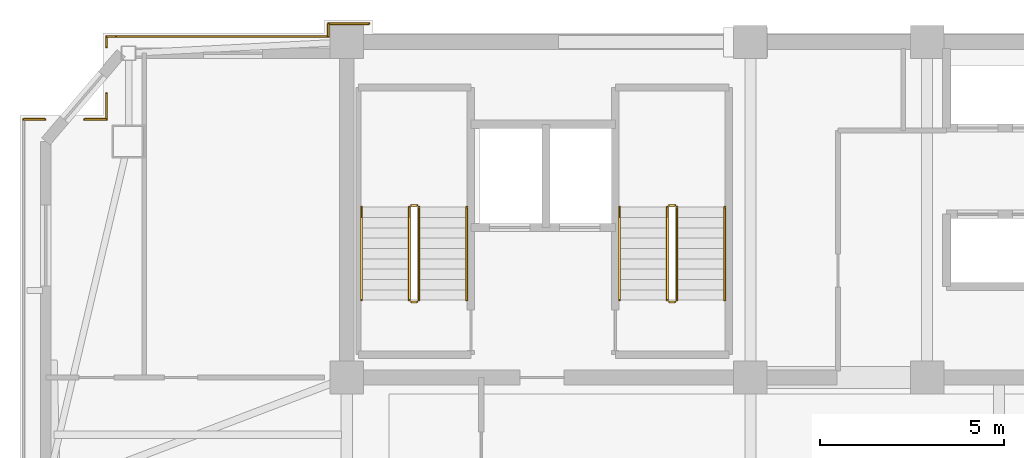
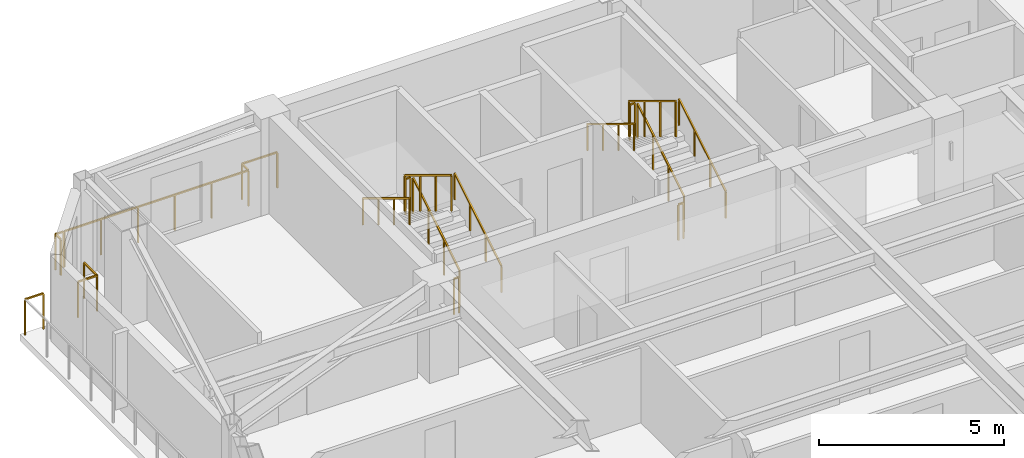
# One storey, part 11 of 12: 20 railings.
"""IFC4 building model written with IfcOpenShell, lengths in metres."""

from ifc_helpers import new_model, si_unit, direction, frame, origin, origin_2d, place, context, subcontext, project, spatial, rectangle, extrude, material, type_object, element, save


model = new_model("IFC4")

# Units and contexts
model_context = context("Model", 3, precision=1e-05, world=origin(), true_north=direction((0.0, 1.0)))
body_context = subcontext(model_context, "Body", "Model", "MODEL_VIEW")
ifc_project = project(units=[si_unit("LENGTHUNIT", "METRE"), si_unit("AREAUNIT", "SQUARE_METRE"), si_unit("VOLUMEUNIT", "CUBIC_METRE"), si_unit("PLANEANGLEUNIT", "RADIAN"), si_unit("MASSUNIT", "GRAM", prefix="KILO")], contexts=[model_context])

# Site, building, storey
site_placement = place(None, origin())
site = spatial("IfcSite", under=ifc_project, at=site_placement, CompositionType="ELEMENT")
building_placement = place(site_placement, origin())
building = spatial("IfcBuilding", under=site, at=building_placement, Name="Giltprow Tower", CompositionType="ELEMENT")
storey_placement = place(building_placement, frame((0.0, 0.0, 339.10009765625)))
storey = spatial("IfcBuildingStorey", under=building, at=storey_placement, Name="L88", CompositionType="ELEMENT", Elevation=339.10009765625)

# Railings
ifc_material = material(Name="Anodized bronze", Category="metal")
railing_type_1 = type_object("IfcRailingType", Name="RAIL-BALC-GUARD-1200", PredefinedType="BALUSTRADE", material=ifc_material)
railing_1_placement = place(storey_placement, frame((11.0849609375, 44.4541015625, 0.0)))
element("IfcRailing", 1, at=railing_1_placement, inside=storey, type_object=railing_type_1, Name="L88 Corner Apron Edge Balustrade 14", PredefinedType="BALUSTRADE", context=body_context, shape_type="SweptSolid", body=[
    extrude(rectangle(XDim=0.048095703125, YDim=0.048095703125, at=origin_2d()), frame((0.0, 0.0, 1.17578125), z_axis=(1.0, 0.0, 0.0), x_axis=(0.0, 1.0, 0.0)), (0.0, 0.0, 1.0), 0.572998046875),
    extrude(rectangle(XDim=0.0419921875, YDim=0.0419921875, at=origin_2d()), origin(), (0.0, 0.0, 1.0), 1.15185546875),
    extrude(rectangle(XDim=0.0419921875, YDim=0.0419921875, at=origin_2d()), frame((0.572998046875, 0.0, 0.0)), (0.0, 0.0, 1.0), 1.15185546875),
])
railing_2_placement = place(storey_placement, frame((12.736083984375, 44.4541015625, 0.0)))
element("IfcRailing", 2, at=railing_2_placement, inside=storey, type_object=railing_type_1, Name="L88 Corner Apron Edge Balustrade 15", PredefinedType="BALUSTRADE", context=body_context, shape_type="SweptSolid", body=[
    extrude(rectangle(XDim=0.048095703125, YDim=0.048095703125, at=origin_2d()), frame((0.0, 0.0, 1.17578125), z_axis=(1.0, 0.0, 0.0), x_axis=(0.0, 1.0, 0.0)), (0.0, 0.0, 1.0), 0.594970703125),
    extrude(rectangle(XDim=0.0419921875, YDim=0.0419921875, at=origin_2d()), origin(), (0.0, 0.0, 1.0), 1.15185546875),
    extrude(rectangle(XDim=0.0419921875, YDim=0.0419921875, at=origin_2d()), frame((0.594970703125, 0.0, 0.0)), (0.0, 0.0, 1.0), 1.15185546875),
])
railing_3_placement = place(storey_placement, frame((13.3310546875, 44.4541015625, 0.0)))
element("IfcRailing", 3, at=railing_3_placement, inside=storey, type_object=railing_type_1, Name="L88 Corner Apron Edge Balustrade 16", PredefinedType="BALUSTRADE", context=body_context, shape_type="SweptSolid", body=[
    extrude(rectangle(XDim=0.048095703125, YDim=0.048095703125, at=origin_2d()), frame((0.0, 0.0, 1.17578125), z_axis=(0.0, 1.0, 0.0), x_axis=(-1.0, 0.0, 0.0)), (0.0, 0.0, 1.0), 0.69580078125),
    extrude(rectangle(XDim=0.0419921875, YDim=0.0419921875, at=origin_2d()), origin(), (0.0, 0.0, 1.0), 1.15185546875),
    extrude(rectangle(XDim=0.0419921875, YDim=0.0419921875, at=origin_2d()), frame((0.0, 0.69580078125, 0.0)), (0.0, 0.0, 1.0), 1.15185546875),
])
railing_4_placement = place(storey_placement, frame((13.3310546875, 46.4130859375, 0.0)))
element("IfcRailing", 4, at=railing_4_placement, inside=storey, type_object=railing_type_1, Name="L88 Corner Apron Edge Balustrade 17", PredefinedType="BALUSTRADE", context=body_context, shape_type="SweptSolid", body=[
    extrude(rectangle(XDim=0.048095703125, YDim=0.048095703125, at=origin_2d()), frame((0.0, 0.0, 1.17578125), z_axis=(0.0, 1.0, 0.0), x_axis=(-1.0, 0.0, 0.0)), (0.0, 0.0, 1.0), 0.286865234375),
    extrude(rectangle(XDim=0.0419921875, YDim=0.0419921875, at=origin_2d()), origin(), (0.0, 0.0, 1.0), 1.15185546875),
    extrude(rectangle(XDim=0.0419921875, YDim=0.0419921875, at=origin_2d()), frame((0.0, 0.286865234375, 0.0)), (0.0, 0.0, 1.0), 1.15185546875),
])
railing_5_placement = place(storey_placement, frame((13.3310546875, 46.699951171875, 0.0)))
element("IfcRailing", 5, at=railing_5_placement, inside=storey, type_object=railing_type_1, Name="L88 Corner Apron Edge Balustrade 18", PredefinedType="BALUSTRADE", context=body_context, shape_type="SweptSolid", body=[
    extrude(rectangle(XDim=0.048095703125, YDim=0.048095703125, at=origin_2d()), frame((0.0, 0.0, 1.17578125), z_axis=(1.0, 0.0, 0.0), x_axis=(0.0, 1.0, 0.0)), (0.0, 0.0, 1.0), 0.244873046875),
    extrude(rectangle(XDim=0.0419921875, YDim=0.0419921875, at=origin_2d()), origin(), (0.0, 0.0, 1.0), 1.15185546875),
    extrude(rectangle(XDim=0.0419921875, YDim=0.0419921875, at=origin_2d()), frame((0.244873046875, 0.0, 0.0)), (0.0, 0.0, 1.0), 1.15185546875),
])
railing_6_placement = place(storey_placement, frame((13.60400390625, 46.699951171875, 0.0)))
element("IfcRailing", 6, at=railing_6_placement, inside=storey, type_object=railing_type_1, Name="L88 Corner Apron Edge Balustrade 19", PredefinedType="BALUSTRADE", context=body_context, shape_type="SweptSolid", body=[
    extrude(rectangle(XDim=0.048095703125, YDim=0.048095703125, at=origin_2d()), frame((0.0, 0.0, 1.17578125), z_axis=(1.0, 0.0, 0.0), x_axis=(0.0, 1.0, 0.0)), (0.0, 0.0, 1.0), 5.74609375),
    extrude(rectangle(XDim=0.0419921875, YDim=0.0419921875, at=origin_2d()), origin(), (0.0, 0.0, 1.0), 1.15185546875),
    extrude(rectangle(XDim=0.0419921875, YDim=0.0419921875, at=origin_2d()), frame((1.149169921875, 0.0, 0.0)), (0.0, 0.0, 1.0), 1.15185546875),
    extrude(rectangle(XDim=0.0419921875, YDim=0.0419921875, at=origin_2d()), frame((2.29833984375, 0.0, 0.0)), (0.0, 0.0, 1.0), 1.15185546875),
    extrude(rectangle(XDim=0.0419921875, YDim=0.0419921875, at=origin_2d()), frame((3.44775390625, 0.0, 0.0)), (0.0, 0.0, 1.0), 1.15185546875),
    extrude(rectangle(XDim=0.0419921875, YDim=0.0419921875, at=origin_2d()), frame((4.596923828125, 0.0, 0.0)), (0.0, 0.0, 1.0), 1.15185546875),
    extrude(rectangle(XDim=0.0419921875, YDim=0.0419921875, at=origin_2d()), frame((5.74609375, 0.0, 0.0)), (0.0, 0.0, 1.0), 1.15185546875),
])
railing_7_placement = place(storey_placement, frame((19.35009765625, 46.699951171875, 0.0)))
element("IfcRailing", 7, at=railing_7_placement, inside=storey, type_object=railing_type_1, Name="L88 Corner Apron Edge Balustrade 20", PredefinedType="BALUSTRADE", context=body_context, shape_type="SweptSolid", body=[
    extrude(rectangle(XDim=0.048095703125, YDim=0.048095703125, at=origin_2d()), frame((0.0, 0.0, 1.17578125), z_axis=(0.0, 1.0, 0.0), x_axis=(-1.0, 0.0, 0.0)), (0.0, 0.0, 1.0), 0.35009765625),
    extrude(rectangle(XDim=0.0419921875, YDim=0.0419921875, at=origin_2d()), origin(), (0.0, 0.0, 1.0), 1.15185546875),
    extrude(rectangle(XDim=0.0419921875, YDim=0.0419921875, at=origin_2d()), frame((0.0, 0.35009765625, 0.0)), (0.0, 0.0, 1.0), 1.15185546875),
])
railing_8_placement = place(storey_placement, frame((19.35009765625, 47.050048828125, 0.0)))
element("IfcRailing", 8, at=railing_8_placement, inside=storey, type_object=railing_type_1, Name="L88 Corner Apron Edge Balustrade 21", PredefinedType="BALUSTRADE", context=body_context, shape_type="SweptSolid", body=[
    extrude(rectangle(XDim=0.048095703125, YDim=0.048095703125, at=origin_2d()), frame((0.0, 0.0, 1.17578125), z_axis=(1.0, 0.0, 0.0), x_axis=(0.0, 1.0, 0.0)), (0.0, 0.0, 1.0), 1.099853515625),
    extrude(rectangle(XDim=0.0419921875, YDim=0.0419921875, at=origin_2d()), origin(), (0.0, 0.0, 1.0), 1.15185546875),
    extrude(rectangle(XDim=0.0419921875, YDim=0.0419921875, at=origin_2d()), frame((1.099853515625, 0.0, 0.0)), (0.0, 0.0, 1.0), 1.15185546875),
])
railing_type_2 = type_object("IfcRailingType", Name="RAIL-STAIR-GUARD-1200", PredefinedType="GUARDRAIL", material=ifc_material)
railing_9_placement = place(storey_placement, frame((21.81005859375, 39.550048828125, 0.169921875)))
element("IfcRailing", 9, at=railing_9_placement, inside=storey, type_object=railing_type_2, Name="L88 ST-1 stair guard 1", PredefinedType="GUARDRAIL", context=body_context, shape_type="SweptSolid", body=[
    extrude(rectangle(XDim=0.048095703125, YDim=0.048095703125, at=origin_2d()), frame((0.0, 0.0, 1.17578125), z_axis=(0.0, 0.85478489116, 0.518982456201), x_axis=(-1.0, 0.0, 0.0)), (0.0, 0.0, 1.0), 2.9482421875),
    extrude(rectangle(XDim=0.0419921875, YDim=0.0419921875, at=origin_2d()), origin(), (0.0, 0.0, 1.0), 1.15185546875),
    extrude(rectangle(XDim=0.0419921875, YDim=0.0419921875, at=origin_2d()), frame((0.0, 0.840087890625, 0.510009765625)), (0.0, 0.0, 1.0), 1.15185546875),
    extrude(rectangle(XDim=0.0419921875, YDim=0.0419921875, at=origin_2d()), frame((0.0, 1.679931640625, 1.02001953125)), (0.0, 0.0, 1.0), 1.15185546875),
    extrude(rectangle(XDim=0.0419921875, YDim=0.0419921875, at=origin_2d()), frame((0.0, 2.52001953125, 1.530029296875)), (0.0, 0.0, 1.0), 1.15185546875),
])
railing_10_placement = place(storey_placement, frame((21.760009765625, 42.1201171875, 1.699951171875)))
element("IfcRailing", 10, at=railing_10_placement, inside=storey, type_object=railing_type_2, Name="L88 ST-1 stair guard 2", PredefinedType="GUARDRAIL", context=body_context, shape_type="SweptSolid", body=[
    extrude(rectangle(XDim=0.048095703125, YDim=0.048095703125, at=origin_2d()), frame((0.0, 0.0, 1.17578125), z_axis=(-1.0, 0.0, 0.0), x_axis=(0.0, -1.0, 0.0)), (0.0, 0.0, 1.0), 0.159912109375),
    extrude(rectangle(XDim=0.0419921875, YDim=0.0419921875, at=origin_2d()), origin(), (0.0, 0.0, 1.0), 1.15185546875),
    extrude(rectangle(XDim=0.0419921875, YDim=0.0419921875, at=origin_2d()), frame((-0.159912109375, 0.0, 0.0)), (0.0, 0.0, 1.0), 1.15185546875),
])
railing_11_placement = place(storey_placement, frame((21.550048828125, 42.070068359375, 1.869873046875)))
element("IfcRailing", 11, at=railing_11_placement, inside=storey, type_object=railing_type_2, Name="L88 ST-1 stair guard 3", PredefinedType="GUARDRAIL", context=body_context, shape_type="SweptSolid", body=[
    extrude(rectangle(XDim=0.048095703125, YDim=0.048095703125, at=origin_2d()), frame((0.0, 0.0, 1.17578125), z_axis=(0.0, -0.85478489116, 0.518982456201), x_axis=(1.0, 0.0, 0.0)), (0.0, 0.0, 1.0), 2.9482421875),
    extrude(rectangle(XDim=0.0419921875, YDim=0.0419921875, at=origin_2d()), origin(), (0.0, 0.0, 1.0), 1.15185546875),
    extrude(rectangle(XDim=0.0419921875, YDim=0.0419921875, at=origin_2d()), frame((0.0, -0.840087890625, 0.510009765625)), (0.0, 0.0, 1.0), 1.15185546875),
    extrude(rectangle(XDim=0.0419921875, YDim=0.0419921875, at=origin_2d()), frame((0.0, -1.679931640625, 1.02001953125)), (0.0, 0.0, 1.0), 1.15185546875),
    extrude(rectangle(XDim=0.0419921875, YDim=0.0419921875, at=origin_2d()), frame((0.0, -2.52001953125, 1.530029296875)), (0.0, 0.0, 1.0), 1.15185546875),
])
railing_12_placement = place(storey_placement, frame((21.760009765625, 39.5, 0.0)))
element("IfcRailing", 12, at=railing_12_placement, inside=storey, type_object=railing_type_2, Name="L88 ST-1 stair guard 4", PredefinedType="GUARDRAIL", context=body_context, shape_type="SweptSolid", body=[
    extrude(rectangle(XDim=0.048095703125, YDim=0.048095703125, at=origin_2d()), frame((0.0, 0.0, 1.17578125), z_axis=(-1.0, 0.0, 0.0), x_axis=(0.0, -1.0, 0.0)), (0.0, 0.0, 1.0), 0.159912109375),
    extrude(rectangle(XDim=0.0419921875, YDim=0.0419921875, at=origin_2d()), origin(), (0.0, 0.0, 1.0), 1.15185546875),
    extrude(rectangle(XDim=0.0419921875, YDim=0.0419921875, at=origin_2d()), frame((-0.159912109375, 0.0, 0.0)), (0.0, 0.0, 1.0), 1.15185546875),
])
railing_13_placement = place(storey_placement, frame((28.81005859375, 39.550048828125, 0.169921875)))
element("IfcRailing", 13, at=railing_13_placement, inside=storey, type_object=railing_type_2, Name="L88 ST-2 stair guard 1", PredefinedType="GUARDRAIL", context=body_context, shape_type="SweptSolid", body=[
    extrude(rectangle(XDim=0.048095703125, YDim=0.048095703125, at=origin_2d()), frame((0.0, 0.0, 1.17578125), z_axis=(0.0, 0.85478489116, 0.518982456201), x_axis=(-1.0, 0.0, 0.0)), (0.0, 0.0, 1.0), 2.9482421875),
    extrude(rectangle(XDim=0.0419921875, YDim=0.0419921875, at=origin_2d()), origin(), (0.0, 0.0, 1.0), 1.15185546875),
    extrude(rectangle(XDim=0.0419921875, YDim=0.0419921875, at=origin_2d()), frame((0.0, 0.840087890625, 0.510009765625)), (0.0, 0.0, 1.0), 1.15185546875),
    extrude(rectangle(XDim=0.0419921875, YDim=0.0419921875, at=origin_2d()), frame((0.0, 1.679931640625, 1.02001953125)), (0.0, 0.0, 1.0), 1.15185546875),
    extrude(rectangle(XDim=0.0419921875, YDim=0.0419921875, at=origin_2d()), frame((0.0, 2.52001953125, 1.530029296875)), (0.0, 0.0, 1.0), 1.15185546875),
])
railing_14_placement = place(storey_placement, frame((28.760009765625, 42.1201171875, 1.699951171875)))
element("IfcRailing", 14, at=railing_14_placement, inside=storey, type_object=railing_type_2, Name="L88 ST-2 stair guard 2", PredefinedType="GUARDRAIL", context=body_context, shape_type="SweptSolid", body=[
    extrude(rectangle(XDim=0.048095703125, YDim=0.048095703125, at=origin_2d()), frame((0.0, 0.0, 1.17578125), z_axis=(-1.0, 0.0, 0.0), x_axis=(0.0, -1.0, 0.0)), (0.0, 0.0, 1.0), 0.159912109375),
    extrude(rectangle(XDim=0.0419921875, YDim=0.0419921875, at=origin_2d()), origin(), (0.0, 0.0, 1.0), 1.15185546875),
    extrude(rectangle(XDim=0.0419921875, YDim=0.0419921875, at=origin_2d()), frame((-0.159912109375, 0.0, 0.0)), (0.0, 0.0, 1.0), 1.15185546875),
])
railing_15_placement = place(storey_placement, frame((28.550048828125, 42.070068359375, 1.869873046875)))
element("IfcRailing", 15, at=railing_15_placement, inside=storey, type_object=railing_type_2, Name="L88 ST-2 stair guard 3", PredefinedType="GUARDRAIL", context=body_context, shape_type="SweptSolid", body=[
    extrude(rectangle(XDim=0.048095703125, YDim=0.048095703125, at=origin_2d()), frame((0.0, 0.0, 1.17578125), z_axis=(0.0, -0.85478489116, 0.518982456201), x_axis=(1.0, 0.0, 0.0)), (0.0, 0.0, 1.0), 2.9482421875),
    extrude(rectangle(XDim=0.0419921875, YDim=0.0419921875, at=origin_2d()), origin(), (0.0, 0.0, 1.0), 1.15185546875),
    extrude(rectangle(XDim=0.0419921875, YDim=0.0419921875, at=origin_2d()), frame((0.0, -0.840087890625, 0.510009765625)), (0.0, 0.0, 1.0), 1.15185546875),
    extrude(rectangle(XDim=0.0419921875, YDim=0.0419921875, at=origin_2d()), frame((0.0, -1.679931640625, 1.02001953125)), (0.0, 0.0, 1.0), 1.15185546875),
    extrude(rectangle(XDim=0.0419921875, YDim=0.0419921875, at=origin_2d()), frame((0.0, -2.52001953125, 1.530029296875)), (0.0, 0.0, 1.0), 1.15185546875),
])
railing_16_placement = place(storey_placement, frame((28.760009765625, 39.5, 0.0)))
element("IfcRailing", 16, at=railing_16_placement, inside=storey, type_object=railing_type_2, Name="L88 ST-2 stair guard 4", PredefinedType="GUARDRAIL", context=body_context, shape_type="SweptSolid", body=[
    extrude(rectangle(XDim=0.048095703125, YDim=0.048095703125, at=origin_2d()), frame((0.0, 0.0, 1.17578125), z_axis=(-1.0, 0.0, 0.0), x_axis=(0.0, -1.0, 0.0)), (0.0, 0.0, 1.0), 0.159912109375),
    extrude(rectangle(XDim=0.0419921875, YDim=0.0419921875, at=origin_2d()), origin(), (0.0, 0.0, 1.0), 1.15185546875),
    extrude(rectangle(XDim=0.0419921875, YDim=0.0419921875, at=origin_2d()), frame((-0.159912109375, 0.0, 0.0)), (0.0, 0.0, 1.0), 1.15185546875),
])
railing_type_3 = type_object("IfcRailingType", Name="RAIL-STAIR-HAND-900", PredefinedType="HANDRAIL", material=ifc_material)
railing_17_placement = place(storey_placement, frame((23.110107421875, 39.550048828125, 0.169921875)))
element("IfcRailing", 17, at=railing_17_placement, inside=storey, type_object=railing_type_3, Name="L88 ST-1 stair handrail 1", PredefinedType="HANDRAIL", context=body_context, shape_type="SweptSolid", body=[
    extrude(rectangle(XDim=0.048095703125, YDim=0.048095703125, at=origin_2d()), frame((0.0, 0.0, 0.8759765625), z_axis=(0.0, 0.85478489116, 0.518982456201), x_axis=(-1.0, 0.0, 0.0)), (0.0, 0.0, 1.0), 2.9482421875),
    extrude(rectangle(XDim=0.0419921875, YDim=0.0419921875, at=origin_2d()), origin(), (0.0, 0.0, 1.0), 0.851806640625),
    extrude(rectangle(XDim=0.0419921875, YDim=0.0419921875, at=origin_2d()), frame((0.0, 0.840087890625, 0.510009765625)), (0.0, 0.0, 1.0), 0.851806640625),
    extrude(rectangle(XDim=0.0419921875, YDim=0.0419921875, at=origin_2d()), frame((0.0, 1.679931640625, 1.02001953125)), (0.0, 0.0, 1.0), 0.851806640625),
    extrude(rectangle(XDim=0.0419921875, YDim=0.0419921875, at=origin_2d()), frame((0.0, 2.52001953125, 1.530029296875)), (0.0, 0.0, 1.0), 0.851806640625),
])
railing_18_placement = place(storey_placement, frame((20.25, 42.070068359375, 1.869873046875)))
element("IfcRailing", 18, at=railing_18_placement, inside=storey, type_object=railing_type_3, Name="L88 ST-1 stair handrail 2", PredefinedType="HANDRAIL", context=body_context, shape_type="SweptSolid", body=[
    extrude(rectangle(XDim=0.048095703125, YDim=0.048095703125, at=origin_2d()), frame((0.0, 0.0, 0.8759765625), z_axis=(0.0, -0.85478489116, 0.518982456201), x_axis=(1.0, 0.0, 0.0)), (0.0, 0.0, 1.0), 2.9482421875),
    extrude(rectangle(XDim=0.0419921875, YDim=0.0419921875, at=origin_2d()), origin(), (0.0, 0.0, 1.0), 0.851806640625),
    extrude(rectangle(XDim=0.0419921875, YDim=0.0419921875, at=origin_2d()), frame((0.0, -0.840087890625, 0.510009765625)), (0.0, 0.0, 1.0), 0.851806640625),
    extrude(rectangle(XDim=0.0419921875, YDim=0.0419921875, at=origin_2d()), frame((0.0, -1.679931640625, 1.02001953125)), (0.0, 0.0, 1.0), 0.851806640625),
    extrude(rectangle(XDim=0.0419921875, YDim=0.0419921875, at=origin_2d()), frame((0.0, -2.52001953125, 1.530029296875)), (0.0, 0.0, 1.0), 0.851806640625),
])
railing_19_placement = place(storey_placement, frame((30.110107421875, 39.550048828125, 0.169921875)))
element("IfcRailing", 19, at=railing_19_placement, inside=storey, type_object=railing_type_3, Name="L88 ST-2 stair handrail 1", PredefinedType="HANDRAIL", context=body_context, shape_type="SweptSolid", body=[
    extrude(rectangle(XDim=0.048095703125, YDim=0.048095703125, at=origin_2d()), frame((0.0, 0.0, 0.8759765625), z_axis=(0.0, 0.85478489116, 0.518982456201), x_axis=(-1.0, 0.0, 0.0)), (0.0, 0.0, 1.0), 2.9482421875),
    extrude(rectangle(XDim=0.0419921875, YDim=0.0419921875, at=origin_2d()), origin(), (0.0, 0.0, 1.0), 0.851806640625),
    extrude(rectangle(XDim=0.0419921875, YDim=0.0419921875, at=origin_2d()), frame((0.0, 0.840087890625, 0.510009765625)), (0.0, 0.0, 1.0), 0.851806640625),
    extrude(rectangle(XDim=0.0419921875, YDim=0.0419921875, at=origin_2d()), frame((0.0, 1.679931640625, 1.02001953125)), (0.0, 0.0, 1.0), 0.851806640625),
    extrude(rectangle(XDim=0.0419921875, YDim=0.0419921875, at=origin_2d()), frame((0.0, 2.52001953125, 1.530029296875)), (0.0, 0.0, 1.0), 0.851806640625),
])
railing_20_placement = place(storey_placement, frame((27.25, 42.070068359375, 1.869873046875)))
element("IfcRailing", 20, at=railing_20_placement, inside=storey, type_object=railing_type_3, Name="L88 ST-2 stair handrail 2", PredefinedType="HANDRAIL", context=body_context, shape_type="SweptSolid", body=[
    extrude(rectangle(XDim=0.048095703125, YDim=0.048095703125, at=origin_2d()), frame((0.0, 0.0, 0.8759765625), z_axis=(0.0, -0.85478489116, 0.518982456201), x_axis=(1.0, 0.0, 0.0)), (0.0, 0.0, 1.0), 2.9482421875),
    extrude(rectangle(XDim=0.0419921875, YDim=0.0419921875, at=origin_2d()), origin(), (0.0, 0.0, 1.0), 0.851806640625),
    extrude(rectangle(XDim=0.0419921875, YDim=0.0419921875, at=origin_2d()), frame((0.0, -0.840087890625, 0.510009765625)), (0.0, 0.0, 1.0), 0.851806640625),
    extrude(rectangle(XDim=0.0419921875, YDim=0.0419921875, at=origin_2d()), frame((0.0, -1.679931640625, 1.02001953125)), (0.0, 0.0, 1.0), 0.851806640625),
    extrude(rectangle(XDim=0.0419921875, YDim=0.0419921875, at=origin_2d()), frame((0.0, -2.52001953125, 1.530029296875)), (0.0, 0.0, 1.0), 0.851806640625),
])

save(model, "model.ifc")
